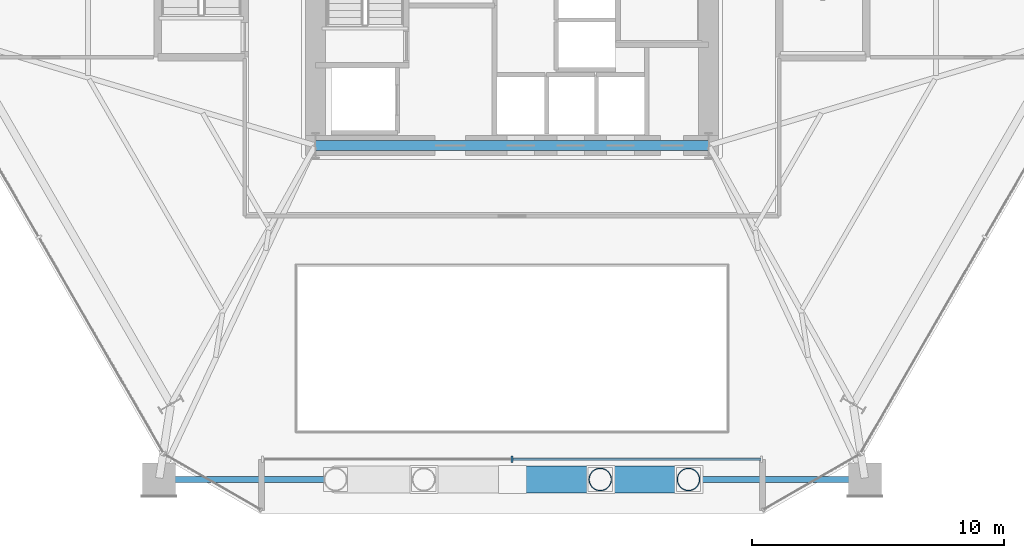
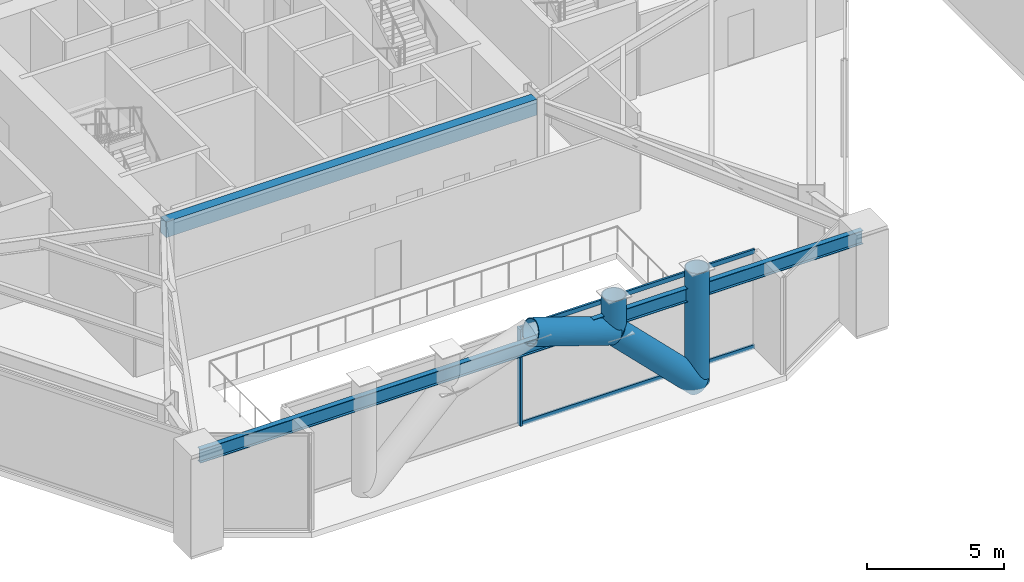
# One storey, part 6 of 23: 7 members, 2 beams, 1 element without a shape of its own.
"""IFC4 building model written with IfcOpenShell, lengths in metres."""

from ifc_helpers import new_model, si_unit, direction, frame, origin, origin_2d, place, context, subcontext, project, spatial, rectangle, hollow_circle, i_section, extrude, material, layer, layer_set, material_profile, profile_set, type_object, element, aggregate, save


model = new_model("IFC4")

# Units and contexts
model_context = context("Model", 3, precision=1e-05, world=origin(), true_north=direction((0.0, 1.0)))
body_context = subcontext(model_context, "Body", "Model", "MODEL_VIEW")
ifc_project = project(units=[si_unit("LENGTHUNIT", "METRE"), si_unit("AREAUNIT", "SQUARE_METRE"), si_unit("VOLUMEUNIT", "CUBIC_METRE"), si_unit("PLANEANGLEUNIT", "RADIAN"), si_unit("MASSUNIT", "GRAM", prefix="KILO")], contexts=[model_context])

# Site, building, storey
site_placement = place(None, origin())
site = spatial("IfcSite", under=ifc_project, at=site_placement, CompositionType="ELEMENT")
building_placement = place(site_placement, origin())
building = spatial("IfcBuilding", under=site, at=building_placement, Name="Kranzbogen Civic Tower", CompositionType="ELEMENT")
storey_placement = place(building_placement, frame((0.0, 0.0, 14.39990234375)))
storey = spatial("IfcBuildingStorey", under=building, at=storey_placement, Name="L03", CompositionType="ELEMENT", Elevation=14.39990234375)

# Beam
ifc_material_1 = material(Name="Concrete C40/50", Category="concrete")
ifc_material_profile_1 = material_profile(ifc_material_1, rectangle(XDim=0.39990234375, YDim=0.699951171875, at=origin_2d()), Name="RC-BM 400x700")
ifc_profile_set_1 = profile_set([ifc_material_profile_1], Name="Concrete C40/50")
beam_type_1 = type_object("IfcBeamType", Name="Core Coupling Lintel Beam 400x700", PredefinedType="LINTEL", material=ifc_profile_set_1)
beam_1_placement = place(storey_placement, frame((17.199951171875, 17.800048828125, 3.9501953125), z_axis=(1.0, 0.0, 0.0), x_axis=(0.0, 1.0, 0.0)))
element("IfcBeam", 1, at=beam_1_placement, inside=storey, type_object=beam_type_1, Name="L03 core South coupling lintel beam", PredefinedType="LINTEL", context=body_context, shape_type="SweptSolid", body=[
    extrude(rectangle(XDim=0.39990234375, YDim=0.699951171875, at=origin_2d()), origin(), (0.0, 0.0, 1.0), 15.60009765625),
])

# Curtain wall, members
ifc_material_2 = material(Name="Pale Anodised Aluminium", Category="aluminium")
ifc_layer = layer(ifc_material_2, 0.219970703125, Name="Pale Anodised Aluminium")
ifc_layer_set = layer_set([ifc_layer], Name="Pale Anodised Aluminium")
curtain_wall_type = type_object("IfcCurtainWallType", Name="Podium Stick Curtain Wall System CW-01", PredefinedType="USERDEFINED", material=ifc_layer_set)
curtain_wall_placement = place(storey_placement, origin())
curtain_wall = element("IfcCurtainWall", 2, at=curtain_wall_placement, inside=storey, type_object=curtain_wall_type, Name="L03 curtain wall CW-L03-F5", ObjectType="STICK CURTAIN WALL", PredefinedType="USERDEFINED")
ifc_material_profile_2 = material_profile(ifc_material_2, rectangle(XDim=0.0849609375, YDim=0.260009765625, at=origin_2d()), Name="ALU-M 85x260")
ifc_profile_set_2 = profile_set([ifc_material_profile_2], Name="Pale Anodised Aluminium")
member_type_1 = type_object("IfcMemberType", Name="Curtain Wall Mullion ALU-M 85x260", PredefinedType="MULLION", material=ifc_profile_set_2)
member_1_placement = place(storey_placement, frame((25.0, 5.35009765625, 0.0), z_axis=(0.0, 0.0, 1.0), x_axis=(1.0, 0.0, 0.0)))
member_1 = element("IfcMember", 3, at=member_1_placement, type_object=member_type_1, Name="CW-01 mullion 2", PredefinedType="MULLION", context=body_context, shape_type="SweptSolid", body=[
    extrude(rectangle(XDim=0.0849609375, YDim=0.260009765625, at=origin_2d()), origin(), (0.0, 0.0, 1.0), 4.300048828125),
])
ifc_material_profile_3 = material_profile(ifc_material_2, rectangle(XDim=0.0849609375, YDim=0.195068359375, at=origin_2d()), Name="ALU-T 85x195")
ifc_profile_set_3 = profile_set([ifc_material_profile_3], Name="Pale Anodised Aluminium")
member_type_2 = type_object("IfcMemberType", Name="Curtain Wall Transom ALU-T 85x195", PredefinedType="USERDEFINED", material=ifc_profile_set_3)
member_2_placement = place(storey_placement, frame((25.030029296875, 5.35009765625, 0.030029296875), z_axis=(1.0, 0.0, 0.0), x_axis=(0.0, 1.0, 0.0)))
member_2 = element("IfcMember", 4, at=member_2_placement, type_object=member_type_2, Name="CW-01 transom 2.1", ObjectType="TRANSOM", PredefinedType="USERDEFINED", context=body_context, shape_type="SweptSolid", body=[
    extrude(rectangle(XDim=0.0849609375, YDim=0.195068359375, at=origin_2d()), origin(), (0.0, 0.0, 1.0), 9.840087890625),
])
member_3_placement = place(storey_placement, frame((25.030029296875, 5.35009765625, 4.27001953125), z_axis=(1.0, 0.0, 0.0), x_axis=(0.0, 1.0, 0.0)))
member_3 = element("IfcMember", 5, at=member_3_placement, type_object=member_type_2, Name="CW-01 transom 2.2", ObjectType="TRANSOM", PredefinedType="USERDEFINED", context=body_context, shape_type="SweptSolid", body=[
    extrude(rectangle(XDim=0.0849609375, YDim=0.195068359375, at=origin_2d()), origin(), (0.0, 0.0, 1.0), 9.840087890625),
])
aggregate(curtain_wall, [member_1, member_2, member_3])

# Beam
ifc_material_3 = material(Name="Steel S355", Category="steel")
ifc_material_profile_4 = material_profile(ifc_material_3, i_section(OverallWidth=0.219970703125, OverallDepth=0.60009765625, WebThickness=0.011962890625, FlangeThickness=0.01904296875, at=origin_2d()), Name="IPE 600")
ifc_profile_set_4 = profile_set([ifc_material_profile_4], Name="Steel S355")
beam_type_2 = type_object("IfcBeamType", Name="Long-Span Podium Floor Girder IPE 600", PredefinedType="BEAM", material=ifc_profile_set_4)
beam_2_placement = place(storey_placement, frame((11.06005859375, 4.550048828125, 4.0), z_axis=(1.0, 0.0, 0.0), x_axis=(0.0, 1.0, 0.0)))
element("IfcBeam", 6, at=beam_2_placement, inside=storey, type_object=beam_type_2, Name="L03 perimeter spandrel beam 03", PredefinedType="BEAM", context=body_context, shape_type="SweptSolid", body=[
    extrude(i_section(OverallWidth=0.219970703125, OverallDepth=0.60009765625, WebThickness=0.011962890625, FlangeThickness=0.01904296875, at=origin_2d()), origin(), (0.0, 0.0, 1.0), 27.8798828125),
])

# Members
ifc_material_4 = material(Name="Steel S460", Category="steel")
ifc_material_profile_5 = material_profile(ifc_material_4, hollow_circle(Radius=0.533447265625, WallThickness=0.0400390625, at=origin_2d()), Name="CHS 1067x40")
ifc_profile_set_5 = profile_set([ifc_material_profile_5], Name="Steel S460")
member_type_3 = type_object("IfcMemberType", Name="Portal Arch Rib Segment CHS 1067x40", PredefinedType="USERDEFINED", material=ifc_profile_set_5)
member_4_placement = place(storey_placement, frame((25.0, 4.550048828125, 4.60009765625), z_axis=(0.948974154467, 0.0, -0.31535385546), x_axis=(0.0, 1.0, 0.0)))
element("IfcMember", 7, at=member_4_placement, inside=storey, type_object=member_type_3, Name="ARC-1: Giant South Portal Arch rib segment 5", ObjectType="ARCH_SEGMENT", PredefinedType="USERDEFINED", context=body_context, shape_type="SweptSolid", body=[
    extrude(hollow_circle(Radius=0.533447265625, WallThickness=0.0400390625, at=origin_2d()), origin(), (0.0, 0.0, 1.0), 3.688232421875),
])
member_5_placement = place(storey_placement, frame((28.5, 4.550048828125, 3.43701171875), z_axis=(0.708439776971, 0.0, -0.705771267767), x_axis=(0.0, 1.0, 0.0)))
element("IfcMember", 8, at=member_5_placement, inside=storey, type_object=member_type_3, Name="ARC-1: Giant South Portal Arch rib segment 6", ObjectType="ARCH_SEGMENT", PredefinedType="USERDEFINED", context=body_context, shape_type="SweptSolid", body=[
    extrude(hollow_circle(Radius=0.533447265625, WallThickness=0.0400390625, at=origin_2d()), origin(), (0.0, 0.0, 1.0), 4.9404296875),
])
ifc_material_profile_6 = material_profile(ifc_material_4, hollow_circle(Radius=0.45703125, WallThickness=0.035888671875, at=origin_2d()), Name="CHS 914x36")
ifc_profile_set_6 = profile_set([ifc_material_profile_6], Name="Steel S460")
member_type_4 = type_object("IfcMemberType", Name="Portal Arch Thrust Strut CHS 914x36", PredefinedType="STRUT", material=ifc_profile_set_6)
member_6_placement = place(storey_placement, frame((28.5, 4.550048828125, 3.43701171875), z_axis=(0.0, 0.0, 1.0), x_axis=(1.0, 0.0, 0.0)))
element("IfcMember", 9, at=member_6_placement, inside=storey, type_object=member_type_4, Name="STR-1: Portal arch transfer post 5", PredefinedType="STRUT", context=body_context, shape_type="SweptSolid", body=[
    extrude(hollow_circle(Radius=0.45703125, WallThickness=0.035888671875, at=origin_2d()), origin(), (0.0, 0.0, 1.0), 1.613037109375),
])
member_7_placement = place(storey_placement, frame((32.0, 4.550048828125, -0.0498046875), z_axis=(0.0, 0.0, 1.0), x_axis=(1.0, 0.0, 0.0)))
element("IfcMember", 10, at=member_7_placement, inside=storey, type_object=member_type_4, Name="STR-1: Portal arch transfer post 6", PredefinedType="STRUT", context=body_context, shape_type="SweptSolid", body=[
    extrude(hollow_circle(Radius=0.45703125, WallThickness=0.035888671875, at=origin_2d()), origin(), (0.0, 0.0, 1.0), 5.099853515625),
])

save(model, "model.ifc")
